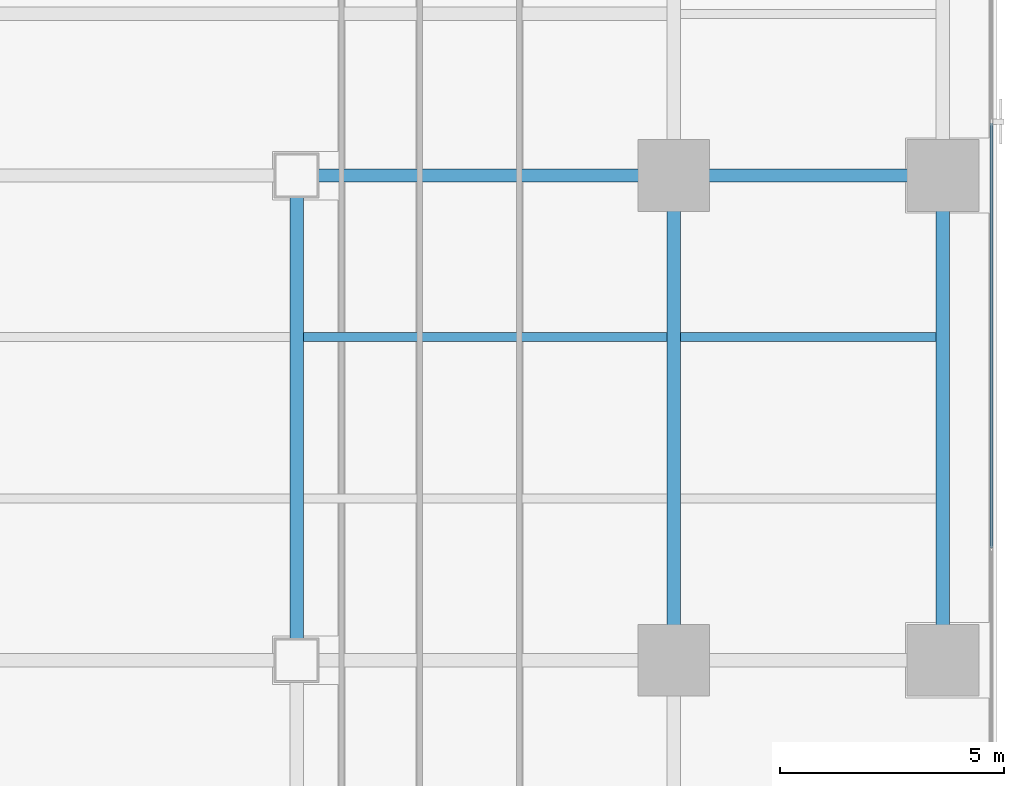
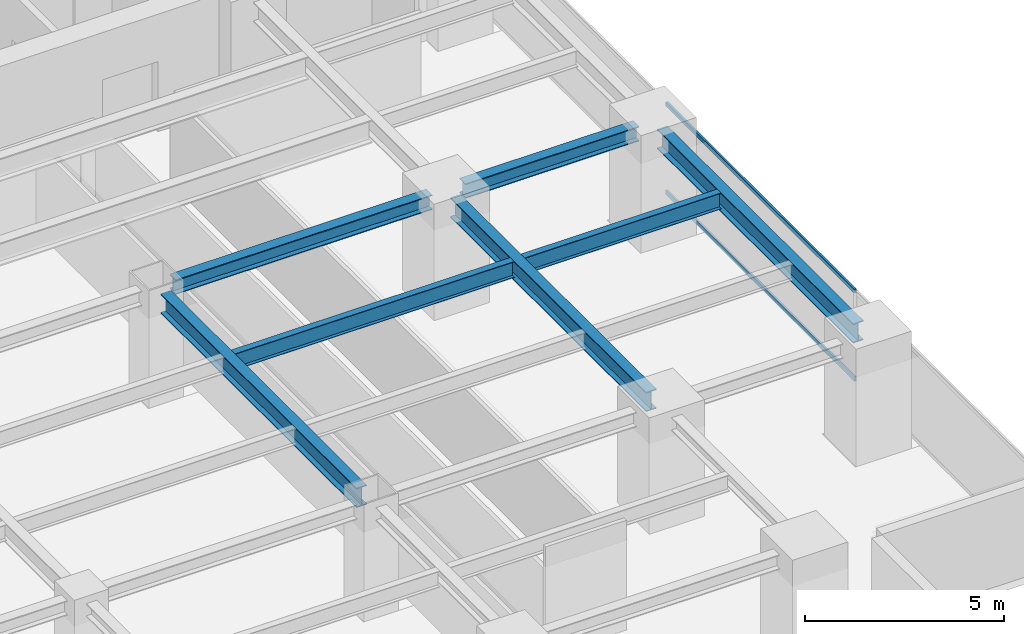
# One storey, part 12 of 27: 7 beams, 2 members, 1 element without a shape of its own.
"""IFC4 building model written with IfcOpenShell, lengths in metres."""

import ifcopenshell
import ifcopenshell.guid

model = None  # the IFC model being written
_history = None  # IfcOwnerHistory: only IFC2X3 demands one
_inside = {}  # id of a spatial element -> (the spatial element, [elements in it])
_under = {}  # id of a project, library or spatial element -> (it, [spatial elements below it])
_declared = {}  # id of a project -> (the project, [libraries it declares])
_typed = {}  # id of a type object -> (the type object, [elements of that type])
_made_of = {}  # id of a material, layer set ... -> (it, [elements and type objects made of it])


def new_model(schema):
    """Start an empty IFC model of exactly this schema.

    Asked for "IFC4X3", IfcOpenShell would pick the latest addendum, in which some entities
    have other attributes; the version numbers below select the first issue.
    IFC2X3 requires an IfcOwnerHistory on every rooted entity: one is made here for all.
    """
    global model, _history
    if schema == "IFC4X3":
        model = ifcopenshell.file(schema_version=(4, 3, 0, 0))
    else:
        model = ifcopenshell.file(schema=schema)
    _inside.clear()
    _under.clear()
    _declared.clear()
    _typed.clear()
    _made_of.clear()
    _history = None
    if model.schema == "IFC2X3":
        org = make("IfcOrganization", Name="unknown")
        user = make(
            "IfcPersonAndOrganization",
            ThePerson=make("IfcPerson", FamilyName="unknown"),
            TheOrganization=org,
        )
        app = make(
            "IfcApplication",
            ApplicationDeveloper=org,
            Version="unknown",
            ApplicationFullName="unknown",
            ApplicationIdentifier="unknown",
        )
        _history = make(
            "IfcOwnerHistory",
            OwningUser=user,
            OwningApplication=app,
            ChangeAction="ADDED",
            CreationDate=0,
        )
    return model


def make(cls, **values):
    """One entity of the class cls with the attributes given. An attribute that is None is left unset."""
    return model.create_entity(
        cls, **{name: value for name, value in values.items() if value is not None}
    )


def rooted(cls, **values):
    """An entity with a GlobalId (a new one), such as an element, a storey or a relation."""
    return make(cls, GlobalId=ifcopenshell.guid.new(), OwnerHistory=_history, **values)


def si_unit(unit_type, name, prefix=None):
    """IfcSIUnit, for example si_unit("LENGTHUNIT", "METRE", prefix="MILLI")."""
    return make("IfcSIUnit", UnitType=unit_type, Prefix=prefix, Name=name)


def assignment(units):
    """IfcUnitAssignment: the units of a project."""
    return None if units is None else make("IfcUnitAssignment", Units=units)


def point(xyz):
    """IfcCartesianPoint."""
    return None if xyz is None else make("IfcCartesianPoint", Coordinates=xyz)


def direction(xyz):
    """IfcDirection."""
    return None if xyz is None else make("IfcDirection", DirectionRatios=xyz)


def frame(location, z_axis=None, x_axis=None):
    """IfcAxis2Placement3D, a coordinate frame: its origin and axes. An axis left out is left unset."""
    return make(
        "IfcAxis2Placement3D",
        Location=point(location),
        Axis=direction(z_axis),
        RefDirection=direction(x_axis),
    )


def frame_2d(location, x_axis=None):
    """IfcAxis2Placement2D, a coordinate frame in the plane: its origin and x axis."""
    return make(
        "IfcAxis2Placement2D", Location=point(location), RefDirection=direction(x_axis)
    )


def origin():
    """The frame at (0, 0, 0) with its axes left unset."""
    return frame((0.0, 0.0, 0.0))


def origin_2d():
    """The frame at (0, 0) in the plane with its x axis left unset."""
    return frame_2d((0.0, 0.0))


def place(relative_to, where):
    """IfcLocalPlacement: puts the frame where relative to a parent placement (None: the world)."""
    return make(
        "IfcLocalPlacement", PlacementRelTo=relative_to, RelativePlacement=where
    )


def context(
    kind, dimensions, precision=None, world=None, true_north=None, identifier=None
):
    """IfcGeometricRepresentationContext, for example the 3D "Model" context."""
    return make(
        "IfcGeometricRepresentationContext",
        ContextIdentifier=identifier,
        ContextType=kind,
        CoordinateSpaceDimension=dimensions,
        Precision=precision,
        WorldCoordinateSystem=world,
        TrueNorth=true_north,
    )


def subcontext(parent, identifier, kind, view, scale=None):
    """IfcGeometricRepresentationSubContext, for example "Body" below "Model"."""
    return make(
        "IfcGeometricRepresentationSubContext",
        ContextIdentifier=identifier,
        ContextType=kind,
        ParentContext=parent,
        TargetScale=scale,
        TargetView=view,
    )


def project(units=None, contexts=None):
    """IfcProject with its units and contexts."""
    return rooted(
        "IfcProject",
        Name="project",
        RepresentationContexts=contexts,
        UnitsInContext=assignment(units),
    )


def spatial(cls, under=None, at=None, **own):
    """A site, building, storey or space (cls), placed at a placement, below another one or the project."""
    s = rooted(cls, ObjectPlacement=at, **own)
    if under is not None:
        _under.setdefault(under.id(), (under, []))[1].append(s)
    return s


def profile(cls, at=None, kind="AREA", **sizes):
    """A parametric profile (cls). Its sizes go by their IFC names, for example OverallWidth=200.0."""
    return make(cls, ProfileType=kind, Position=at, **sizes)


def hollow_rectangle(**sizes):
    """IfcRectangleHollowProfileDef."""
    return profile("IfcRectangleHollowProfileDef", **sizes)


def i_section(**sizes):
    """IfcIShapeProfileDef."""
    return profile("IfcIShapeProfileDef", **sizes)


def extrude(swept, where, along, depth):
    """IfcExtrudedAreaSolid: the profile swept, set in the frame where, extruded along a direction by depth."""
    return make(
        "IfcExtrudedAreaSolid",
        SweptArea=swept,
        Position=where,
        ExtrudedDirection=direction(along),
        Depth=depth,
    )


def shape(context_of_items, identifier, shape_type, items):
    """IfcShapeRepresentation: the items that make up one representation, for example the "Body"."""
    return make(
        "IfcShapeRepresentation",
        ContextOfItems=context_of_items,
        RepresentationIdentifier=identifier,
        RepresentationType=shape_type,
        Items=items,
    )


def source(mapping_origin, context_of_items, identifier, shape_type, items):
    """IfcRepresentationMap: a shape defined once, which mapped items show again and again."""
    return make(
        "IfcRepresentationMap",
        MappingOrigin=mapping_origin,
        MappedRepresentation=shape(context_of_items, identifier, shape_type, items),
    )


def transform(
    local_origin,
    x_axis=None,
    y_axis=None,
    z_axis=None,
    scale=None,
    scale2=None,
    scale3=None,
    uniform=True,
):
    """IfcCartesianTransformationOperator3D, or its non-uniform kind. x_axis, y_axis, z_axis: its Axis1, 2, 3."""
    if uniform:
        return make(
            "IfcCartesianTransformationOperator3D",
            Axis1=direction(x_axis),
            Axis2=direction(y_axis),
            LocalOrigin=point(local_origin),
            Scale=scale,
            Axis3=direction(z_axis),
        )
    return make(
        "IfcCartesianTransformationOperator3DnonUniform",
        Axis1=direction(x_axis),
        Axis2=direction(y_axis),
        LocalOrigin=point(local_origin),
        Scale=scale,
        Axis3=direction(z_axis),
        Scale2=scale2,
        Scale3=scale3,
    )


def mapped(mapping_source, mapping_target):
    """IfcMappedItem: shows the shape of a source again, moved by a transform."""
    return make(
        "IfcMappedItem", MappingSource=mapping_source, MappingTarget=mapping_target
    )


def material(Name=None, Category=None):
    """IfcMaterial."""
    return make("IfcMaterial", Name=Name, Category=Category)


def layer(
    of_material, thickness, ventilated=None, Name=None, Category=None, Priority=None
):
    """IfcMaterialLayer: one layer of a wall or slab, of a material (None: an air gap)."""
    return make(
        "IfcMaterialLayer",
        Material=of_material,
        LayerThickness=thickness,
        IsVentilated=ventilated,
        Name=Name,
        Category=Category,
        Priority=Priority,
    )


def layer_set(layers, Name=None):
    """IfcMaterialLayerSet."""
    return make("IfcMaterialLayerSet", MaterialLayers=layers, LayerSetName=Name)


def material_profile(
    of_material, cross_section, Name=None, Category=None, Priority=None
):
    """IfcMaterialProfile: a cross section and its material."""
    return make(
        "IfcMaterialProfile",
        Name=Name,
        Material=of_material,
        Profile=cross_section,
        Priority=Priority,
        Category=Category,
    )


def profile_set(profiles, Name=None, composite=None):
    """IfcMaterialProfileSet."""
    return make(
        "IfcMaterialProfileSet",
        Name=Name,
        MaterialProfiles=profiles,
        CompositeProfile=composite,
    )


def made_of(thing, what):
    """Note that an element or type object is made of a material, layer set ...; save() writes the relation."""
    if what is not None:
        _made_of.setdefault(what.id(), (what, []))[1].append(thing)
    return thing


def type_object(cls, material=None, **own):
    """A type object (cls), such as IfcWallType, which elements share."""
    return made_of(rooted(cls, **own), material)


def element(
    cls,
    number,
    at=None,
    inside=None,
    cuts=None,
    type_object=None,
    material=None,
    context=None,
    identifier="Body",
    shape_type=None,
    held_by="IfcProductDefinitionShape",
    body=None,
    shapes=None,
    **own,
):
    """One element of the class cls, such as IfcWall. Its Tag is "e" and its number.

    at: its placement. inside: the storey or other place that contains it. cuts: it is an
    opening in that element (IfcRelVoidsElement). A single representation is given by context,
    identifier, shape_type and body (its items); several are given by shapes. held_by: the class
    of the entity that holds the representations. save() writes the other relations.
    """
    e = rooted(cls, Tag="e%d" % number, ObjectPlacement=at, **own)
    if body is not None:
        shapes = [shape(context, identifier, shape_type, body)]
    if shapes is not None:
        e.Representation = make(held_by, Representations=shapes)
    if inside is not None:
        _inside.setdefault(inside.id(), (inside, []))[1].append(e)
    if cuts is not None:
        rooted(
            "IfcRelVoidsElement", RelatingBuildingElement=cuts, RelatedOpeningElement=e
        )
    if type_object is not None:
        _typed.setdefault(type_object.id(), (type_object, []))[1].append(e)
    return made_of(e, material)


def aggregate(whole, parts):
    """IfcRelAggregates: a whole, such as a stair, and the parts it consists of."""
    return rooted("IfcRelAggregates", RelatingObject=whole, RelatedObjects=parts)


def save(model, path):
    """Write the relations noted so far, then the file.

    IfcRelAggregates (storeys below a building ...), IfcRelContainedInSpatialStructure (elements
    in a storey), IfcRelDefinesByType, IfcRelAssociatesMaterial and IfcRelDeclares: one each for
    every whole, place, type object, material and project.
    """
    for whole, parts in _under.values():
        aggregate(whole, parts)
    for where, things in _inside.values():
        rooted(
            "IfcRelContainedInSpatialStructure",
            RelatedElements=things,
            RelatingStructure=where,
        )
    for kind, things in _typed.values():
        rooted("IfcRelDefinesByType", RelatedObjects=things, RelatingType=kind)
    for what, things in _made_of.values():
        rooted("IfcRelAssociatesMaterial", RelatedObjects=things, RelatingMaterial=what)
    for by, libraries in _declared.values():
        rooted("IfcRelDeclares", RelatingContext=by, RelatedDefinitions=libraries)
    model.write(path)


model = new_model("IFC4")

# Units and contexts
model_context = context("Model", 3, precision=1e-05, world=origin(), true_north=direction((0.0, 1.0)))
body_context = subcontext(model_context, "Body", "Model", "MODEL_VIEW")
ifc_project = project(units=[si_unit("LENGTHUNIT", "METRE"), si_unit("AREAUNIT", "SQUARE_METRE"), si_unit("VOLUMEUNIT", "CUBIC_METRE"), si_unit("PLANEANGLEUNIT", "RADIAN"), si_unit("MASSUNIT", "GRAM", prefix="KILO")], contexts=[model_context])

# Site, building, storey
site_placement = place(None, origin())
site = spatial("IfcSite", under=ifc_project, at=site_placement, CompositionType="ELEMENT")
building_placement = place(site_placement, origin())
building = spatial("IfcBuilding", under=site, at=building_placement, Name="Sumidabori Civic Tower", CompositionType="ELEMENT")
storey_placement = place(building_placement, frame((0.0, 0.0, 135.199951171875)))
storey = spatial("IfcBuildingStorey", under=building, at=storey_placement, Name="L34", CompositionType="ELEMENT", Elevation=135.199951171875)

# Beams
ifc_material_1 = material(Name="Steel SN490", Category="steel")
ifc_material_profile_1 = material_profile(ifc_material_1, i_section(OverallWidth=0.300048828125, OverallDepth=0.60009765625, WebThickness=0.015380859375, FlangeThickness=0.030029296875, at=origin_2d()), Name="HE 600 B")
ifc_profile_set_1 = profile_set([ifc_material_profile_1], Name="Steel SN490")
beam_type_1 = type_object("IfcBeamType", Name="BM-GIRD-600", PredefinedType="BEAM", material=ifc_profile_set_1)
shared_shape_1 = source(origin(), body_context, "Body", "SweptSolid", [
    extrude(i_section(OverallWidth=0.300048828125, OverallDepth=0.60009765625, WebThickness=0.015380859375, FlangeThickness=0.030029296875, at=origin_2d()), origin(), (0.0, 0.0, 1.0), 9.840087890625),
])
for number, where, z_axis, x_axis, name in (
    (1, (8.39990234375, -10.320068359375, 3.080078125), (0.0, 1.0, 0.0), (-1.0, 0.0, 0.0), "Primary Girder L34 GY-31"),
    (2, (16.800048828125, -10.320068359375, 3.080078125), (0.0, 1.0, 0.0), (-1.0, 0.0, 0.0), "Primary Girder L34 GY-33"),
    (3, (22.800048828125, -10.320068359375, 3.080078125), (0.0, 1.0, 0.0), (-1.0, 0.0, 0.0), "Primary Girder L34 GY-36"),
):
    element("IfcBeam", number, at=place(storey_placement, frame(where, z_axis=z_axis, x_axis=x_axis)), inside=storey, type_object=beam_type_1, Name=name, PredefinedType="BEAM", context=body_context, shape_type="MappedRepresentation", body=[
        mapped(shared_shape_1, transform((0.0, 0.0, 0.0), x_axis=(1.0, 0.0, 0.0), y_axis=(0.0, 1.0, 0.0), z_axis=(0.0, 0.0, 1.0), scale=1.0)),
    ])
ifc_material_profile_2 = material_profile(ifc_material_1, i_section(OverallWidth=0.199951171875, OverallDepth=0.5, WebThickness=0.01025390625, FlangeThickness=0.01611328125, at=origin_2d()), Name="IPE 500")
ifc_profile_set_2 = profile_set([ifc_material_profile_2], Name="Steel SN490")
beam_type_2 = type_object("IfcBeamType", Name="BM-JST-500", PredefinedType="JOIST", material=ifc_profile_set_2)
shared_shape_2 = source(origin(), body_context, "Body", "SweptSolid", [
    extrude(i_section(OverallWidth=0.199951171875, OverallDepth=0.5, WebThickness=0.01025390625, FlangeThickness=0.01611328125, at=origin_2d()), origin(), (0.0, 0.0, 1.0), 5.699951171875),
])
beam_1_placement = place(storey_placement, frame((16.949951171875, -3.60009765625, 3.130126953125), z_axis=(1.0, 0.0, 0.0), x_axis=(0.0, 1.0, 0.0)))
element("IfcBeam", 4, at=beam_1_placement, inside=storey, type_object=beam_type_2, Name="Outer Bay Floor Joist L34 JSTO-42", PredefinedType="JOIST", context=body_context, shape_type="MappedRepresentation", body=[
    mapped(shared_shape_2, transform((0.0, 0.0, 0.0), x_axis=(1.0, 0.0, 0.0), y_axis=(0.0, 1.0, 0.0), z_axis=(0.0, 0.0, 1.0), scale=1.0)),
])
shared_shape_3 = source(origin(), body_context, "Body", "SweptSolid", [
    extrude(i_section(OverallWidth=0.199951171875, OverallDepth=0.5, WebThickness=0.01025390625, FlangeThickness=0.01611328125, at=origin_2d()), origin(), (0.0, 0.0, 1.0), 8.099853515625),
])
beam_2_placement = place(storey_placement, frame((8.550048828125, -3.60009765625, 3.130126953125), z_axis=(1.0, 0.0, 0.0), x_axis=(0.0, 1.0, 0.0)))
element("IfcBeam", 5, at=beam_2_placement, inside=storey, type_object=beam_type_2, Name="South Bay Floor Joist L34 JSTS-60", PredefinedType="JOIST", context=body_context, shape_type="MappedRepresentation", body=[
    mapped(shared_shape_3, transform((0.0, 0.0, 0.0), x_axis=(1.0, 0.0, 0.0), y_axis=(0.0, 1.0, 0.0), z_axis=(0.0, 0.0, 1.0), scale=1.0)),
])
ifc_material_profile_3 = material_profile(ifc_material_1, i_section(OverallWidth=0.300048828125, OverallDepth=0.449951171875, WebThickness=0.013916015625, FlangeThickness=0.02587890625, at=origin_2d()), Name="HE 450 B")
ifc_profile_set_3 = profile_set([ifc_material_profile_3], Name="Steel SN490")
beam_type_3 = type_object("IfcBeamType", Name="BM-GIRD-450", PredefinedType="BEAM", material=ifc_profile_set_3)
shared_shape_4 = source(origin(), body_context, "Body", "SweptSolid", [
    extrude(i_section(OverallWidth=0.300048828125, OverallDepth=0.449951171875, WebThickness=0.013916015625, FlangeThickness=0.02587890625, at=origin_2d()), origin(), (0.0, 0.0, 1.0), 7.440185546875),
])
beam_3_placement = place(storey_placement, frame((8.8798828125, 0.0, 3.155029296875), z_axis=(1.0, 0.0, 0.0), x_axis=(0.0, 1.0, 0.0)))
element("IfcBeam", 6, at=beam_3_placement, inside=storey, type_object=beam_type_3, Name="Primary Girder L34 GX-15", PredefinedType="BEAM", context=body_context, shape_type="MappedRepresentation", body=[
    mapped(shared_shape_4, transform((0.0, 0.0, 0.0), x_axis=(1.0, 0.0, 0.0), y_axis=(0.0, 1.0, 0.0), z_axis=(0.0, 0.0, 1.0), scale=1.0)),
])
shared_shape_5 = source(origin(), body_context, "Body", "SweptSolid", [
    extrude(i_section(OverallWidth=0.300048828125, OverallDepth=0.449951171875, WebThickness=0.013916015625, FlangeThickness=0.02587890625, at=origin_2d()), origin(), (0.0, 0.0, 1.0), 5.0400390625),
])
beam_4_placement = place(storey_placement, frame((17.280029296875, 0.0, 3.155029296875), z_axis=(1.0, 0.0, 0.0), x_axis=(0.0, 1.0, 0.0)))
element("IfcBeam", 7, at=beam_4_placement, inside=storey, type_object=beam_type_3, Name="Primary Girder L34 GX-16", PredefinedType="BEAM", context=body_context, shape_type="MappedRepresentation", body=[
    mapped(shared_shape_5, transform((0.0, 0.0, 0.0), x_axis=(1.0, 0.0, 0.0), y_axis=(0.0, 1.0, 0.0), z_axis=(0.0, 0.0, 1.0), scale=1.0)),
])

# Curtain wall, members
ifc_material_2 = material(Name="Anodised Bronze Aluminium AW-6063-T6", Category="aluminium")
ifc_layer = layer(ifc_material_2, 0.179931640625, Name="Anodised Bronze Aluminium AW-6063-T6")
ifc_layer_set = layer_set([ifc_layer], Name="Anodised Bronze Aluminium AW-6063-T6")
curtain_wall_type = type_object("IfcCurtainWallType", Name="CW-SYS-3", PredefinedType="NOTDEFINED", material=ifc_layer_set)
curtain_wall_placement = place(storey_placement, origin())
curtain_wall = element("IfcCurtainWall", 8, at=curtain_wall_placement, inside=storey, type_object=curtain_wall_type, Name="Curtain Wall CW:L34:R04", PredefinedType="NOTDEFINED")
ifc_material_profile_4 = material_profile(ifc_material_2, hollow_rectangle(XDim=0.06005859375, YDim=0.1298828125, WallThickness=0.0048828125, at=origin_2d()), Name="ALU TRANSOM 130x60")
ifc_profile_set_4 = profile_set([ifc_material_profile_4], Name="Anodised Bronze Aluminium AW-6063-T6")
member_type = type_object("IfcMemberType", Name="CW-TRN-130", PredefinedType="USERDEFINED", material=ifc_profile_set_4)
shared_shape_6 = source(origin(), body_context, "Body", "SweptSolid", [
    extrude(hollow_rectangle(XDim=0.06005859375, YDim=0.1298828125, WallThickness=0.0048828125, at=origin_2d()), origin(), (0.0, 0.0, 1.0), 9.469970703125),
])
member_1_placement = place(storey_placement, frame((23.8798828125, -8.302490234375, 0.030029296875), z_axis=(0.0, 1.0, 0.0), x_axis=(-1.0, 0.0, 0.0)))
member_1 = element("IfcMember", 9, at=member_1_placement, type_object=member_type, Name="CW-3 transom 2.1", ObjectType="TRANSOM", PredefinedType="USERDEFINED", context=body_context, shape_type="MappedRepresentation", body=[
    mapped(shared_shape_6, transform((0.0, 0.0, 0.0), x_axis=(1.0, 0.0, 0.0), y_axis=(0.0, 1.0, 0.0), z_axis=(0.0, 0.0, 1.0), scale=1.0)),
])
member_2_placement = place(storey_placement, frame((23.8798828125, -8.302490234375, 2.72998046875), z_axis=(0.0, 1.0, 0.0), x_axis=(-1.0, 0.0, 0.0)))
member_2 = element("IfcMember", 10, at=member_2_placement, type_object=member_type, Name="CW-3 transom 2.2", ObjectType="TRANSOM", PredefinedType="USERDEFINED", context=body_context, shape_type="MappedRepresentation", body=[
    mapped(shared_shape_6, transform((0.0, 0.0, 0.0), x_axis=(1.0, 0.0, 0.0), y_axis=(0.0, 1.0, 0.0), z_axis=(0.0, 0.0, 1.0), scale=1.0)),
])
aggregate(curtain_wall, [member_1, member_2])

save(model, "model.ifc")
